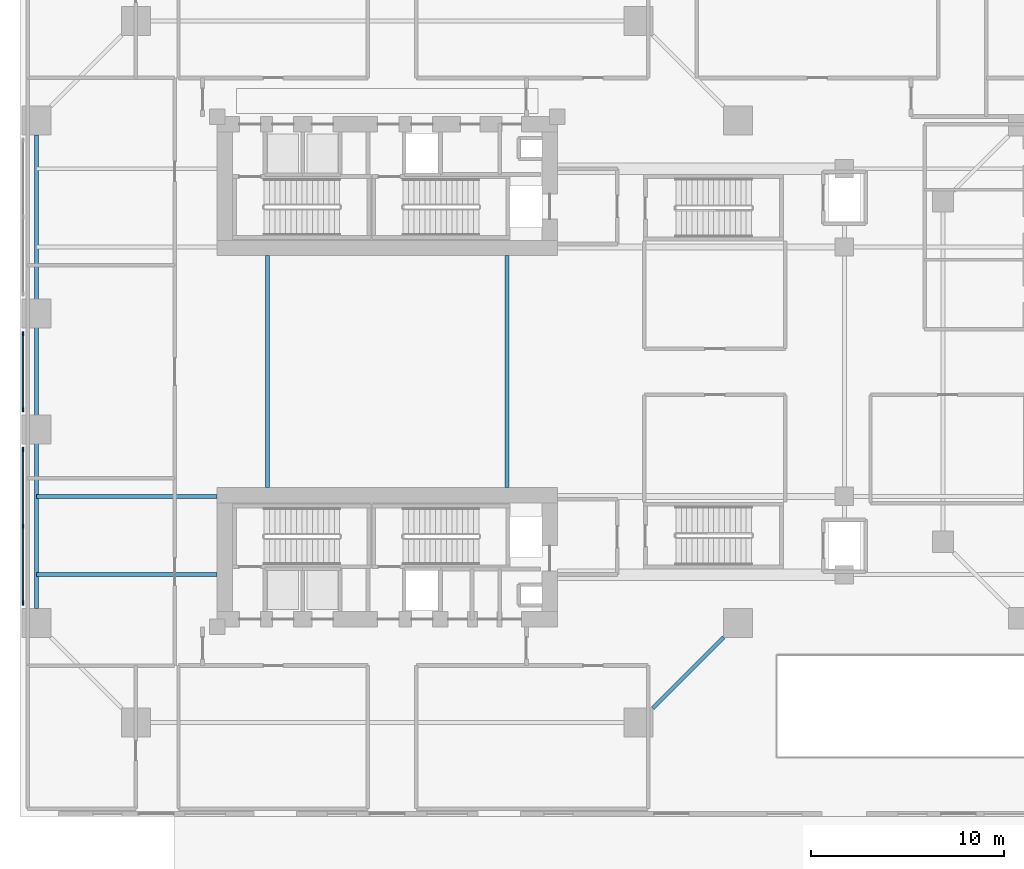
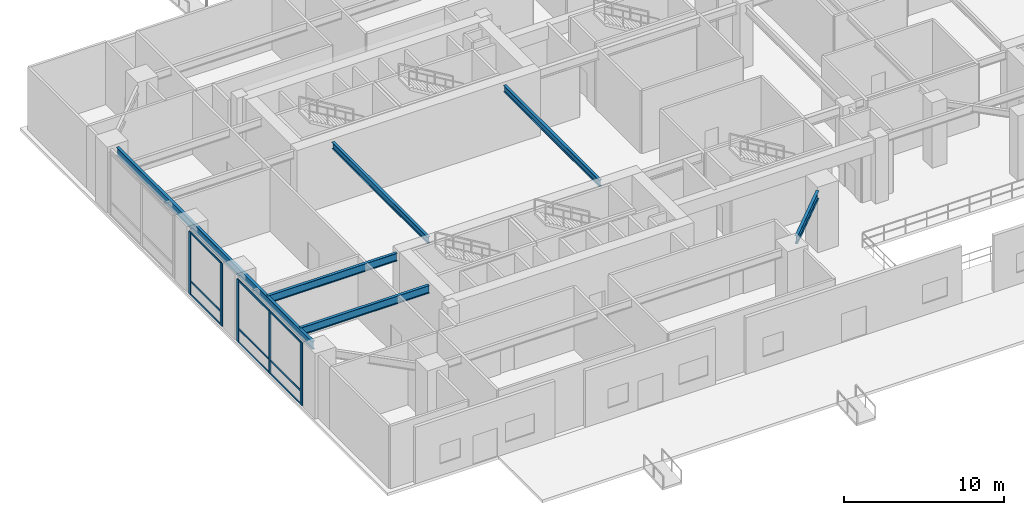
# One storey, part 2 of 18: 14 members, 6 beams, 2 elements without a shape of their own.
"""IFC4 building model written with IfcOpenShell, lengths in metres."""

from ifc_helpers import new_model, si_unit, direction, frame, origin, origin_2d, place, context, subcontext, project, spatial, rectangle, i_section, extrude, source, transform, mapped, material, layer, layer_set, material_profile, profile_set, type_object, element, aggregate, save


model = new_model("IFC4")

# Units and contexts
model_context = context("Model", 3, precision=1e-05, world=origin(), true_north=direction((0.0, 1.0)))
body_context = subcontext(model_context, "Body", "Model", "MODEL_VIEW")
ifc_project = project(units=[si_unit("LENGTHUNIT", "METRE"), si_unit("AREAUNIT", "SQUARE_METRE"), si_unit("VOLUMEUNIT", "CUBIC_METRE"), si_unit("PLANEANGLEUNIT", "RADIAN"), si_unit("MASSUNIT", "GRAM", prefix="KILO"), si_unit("THERMODYNAMICTEMPERATUREUNIT", "KELVIN"), si_unit("POWERUNIT", "WATT")], contexts=[model_context])

# Site, building, storey
site_placement = place(None, origin())
site = spatial("IfcSite", under=ifc_project, at=site_placement, CompositionType="ELEMENT")
building_placement = place(site_placement, origin())
building = spatial("IfcBuilding", under=site, at=building_placement, Name="Qiaomeng Ring Towers", CompositionType="ELEMENT")
storey_placement = place(building_placement, origin())
storey = spatial("IfcBuildingStorey", under=building, at=storey_placement, Name="L00", CompositionType="ELEMENT", Elevation=0.0)

# Beams
ifc_material_1 = material(Name="Steel Q355B", Category="steel")
ifc_material_profile_1 = material_profile(ifc_material_1, i_section(OverallWidth=0.199951171875, OverallDepth=0.60009765625, WebThickness=0.010986328125, FlangeThickness=0.01708984375, FilletRadius=0.02197265625, at=origin_2d()), Name="HN 600x200x11x17")
ifc_profile_set_1 = profile_set([ifc_material_profile_1], Name="Steel Q355B")
beam_type_1 = type_object("IfcBeamType", Name="STR-BM-HN600", PredefinedType="BEAM", material=ifc_profile_set_1)
shared_shape_1 = source(origin(), body_context, "Body", "SweptSolid", [
    extrude(i_section(OverallWidth=0.199951171875, OverallDepth=0.60009765625, WebThickness=0.010986328125, FlangeThickness=0.01708984375, FilletRadius=0.02197265625, at=origin_2d()), origin(), (0.0, 0.0, 1.0), 24.501953125),
])
beam_1_placement = place(storey_placement, frame((0.85009765625, 10.7490234375, 4.47998046875), z_axis=(0.0, 1.0, 0.0), x_axis=(-1.0, 0.0, 0.0)))
element("IfcBeam", 1, at=beam_1_placement, inside=storey, type_object=beam_type_1, Name="L00 beam STR-SP-L00-WL", PredefinedType="BEAM", context=body_context, shape_type="MappedRepresentation", body=[
    mapped(shared_shape_1, transform((0.0, 0.0, 0.0), x_axis=(1.0, 0.0, 0.0), y_axis=(0.0, 1.0, 0.0), z_axis=(0.0, 0.0, 1.0), scale=1.0)),
])
shared_shape_2 = source(origin(), body_context, "Body", "SweptSolid", [
    extrude(i_section(OverallWidth=0.199951171875, OverallDepth=0.60009765625, WebThickness=0.010986328125, FlangeThickness=0.01708984375, FilletRadius=0.02197265625, at=origin_2d()), origin(), (0.0, 0.0, 1.0), 5.163818359375),
])
beam_2_placement = place(storey_placement, frame((32.749267578125, 5.599365234375, 4.47998046875), z_axis=(0.707106781187, 0.707106781187, 0.0), x_axis=(-0.707106781187, 0.707106781187, 0.0)))
element("IfcBeam", 2, at=beam_2_placement, inside=storey, type_object=beam_type_1, Name="L00 beam STR-SP-L00-T1-2", PredefinedType="BEAM", context=body_context, shape_type="MappedRepresentation", body=[
    mapped(shared_shape_2, transform((0.0, 0.0, 0.0), x_axis=(1.0, 0.0, 0.0), y_axis=(0.0, 1.0, 0.0), z_axis=(0.0, 0.0, 1.0), scale=1.0)),
])
shared_shape_3 = source(origin(), body_context, "Body", "SweptSolid", [
    extrude(i_section(OverallWidth=0.199951171875, OverallDepth=0.60009765625, WebThickness=0.010986328125, FlangeThickness=0.01708984375, FilletRadius=0.02197265625, at=origin_2d()), origin(), (0.0, 0.0, 1.0), 9.349853515625),
])
for number, where, z_axis, x_axis, name in (
    (3, (0.85009765625, 12.5, 4.47998046875), (1.0, 0.0, 0.0), (0.0, 1.0, 0.0), "L00 beam STR-BM-L00-W-0"),
    (4, (0.85009765625, 16.550048828125, 4.47998046875), (1.0, 0.0, 0.0), (0.0, 1.0, 0.0), "L00 beam STR-BM-L00-W-1"),
):
    element("IfcBeam", number, at=place(storey_placement, frame(where, z_axis=z_axis, x_axis=x_axis)), inside=storey, type_object=beam_type_1, Name=name, PredefinedType="BEAM", context=body_context, shape_type="MappedRepresentation", body=[
        mapped(shared_shape_3, transform((0.0, 0.0, 0.0), x_axis=(1.0, 0.0, 0.0), y_axis=(0.0, 1.0, 0.0), z_axis=(0.0, 0.0, 1.0), scale=1.0)),
    ])
ifc_material_profile_2 = material_profile(ifc_material_1, i_section(OverallWidth=0.199951171875, OverallDepth=0.5, WebThickness=0.010009765625, FlangeThickness=0.01611328125, FilletRadius=0.02001953125, at=origin_2d()), Name="HN 500x200x10x16")
ifc_profile_set_2 = profile_set([ifc_material_profile_2], Name="Steel Q355B")
beam_type_2 = type_object("IfcBeamType", Name="STR-BM-HN500", PredefinedType="BEAM", material=ifc_profile_set_2)
shared_shape_4 = source(origin(), body_context, "Body", "SweptSolid", [
    extrude(i_section(OverallWidth=0.199951171875, OverallDepth=0.5, WebThickness=0.010009765625, FlangeThickness=0.01611328125, FilletRadius=0.02001953125, at=origin_2d()), origin(), (0.0, 0.0, 1.0), 12.0),
])
for number, where, z_axis, x_axis, name in (
    (5, (12.800048828125, 17.0, 4.530029296875), (0.0, 1.0, 0.0), (-1.0, 0.0, 0.0), "L00 beam STR-BM-L00-AT1-W"),
    (6, (25.199951171875, 17.0, 4.530029296875), (0.0, 1.0, 0.0), (-1.0, 0.0, 0.0), "L00 beam STR-BM-L00-AT1-E"),
):
    element("IfcBeam", number, at=place(storey_placement, frame(where, z_axis=z_axis, x_axis=x_axis)), inside=storey, type_object=beam_type_2, Name=name, PredefinedType="BEAM", context=body_context, shape_type="MappedRepresentation", body=[
        mapped(shared_shape_4, transform((0.0, 0.0, 0.0), x_axis=(1.0, 0.0, 0.0), y_axis=(0.0, 1.0, 0.0), z_axis=(0.0, 0.0, 1.0), scale=1.0)),
    ])

# Curtain wall, members
ifc_material_2 = material(Name="Fluorocarbon dark-grey aluminium", Category="aluminium")
ifc_layer = layer(ifc_material_2, 0.179931640625, Name="Fluorocarbon dark-grey aluminium")
ifc_layer_set = layer_set([ifc_layer], Name="Fluorocarbon dark-grey aluminium")
curtain_wall_type = type_object("IfcCurtainWallType", Name="ARC-CW-1", PredefinedType="NOTDEFINED", material=ifc_layer_set)
curtain_wall_1_placement = place(storey_placement, origin())
curtain_wall_1 = element("IfcCurtainWall", 7, at=curtain_wall_1_placement, inside=storey, type_object=curtain_wall_type, Name="L00 Curtain Wall CW1", PredefinedType="NOTDEFINED")
ifc_material_profile_3 = material_profile(ifc_material_2, rectangle(XDim=0.080078125, YDim=0.219970703125, at=origin_2d()), Name="ALU MULL 80x220")
ifc_profile_set_3 = profile_set([ifc_material_profile_3], Name="Fluorocarbon dark-grey aluminium")
member_type_1 = type_object("IfcMemberType", Name="ARC-CWM-180", PredefinedType="MULLION", material=ifc_profile_set_3)
shared_shape_5 = source(origin(), body_context, "Body", "SweptSolid", [
    extrude(rectangle(XDim=0.080078125, YDim=0.219970703125, at=origin_2d()), origin(), (0.0, 0.0, 1.0), 4.780029296875),
])
member_1_placement = place(storey_placement, frame((0.14990234375, 11.030029296875, 0.0), z_axis=(0.0, 0.0, 1.0), x_axis=(-1.0, 0.0, 0.0)))
member_1 = element("IfcMember", 8, at=member_1_placement, type_object=member_type_1, Name="CW1 mullion 1", PredefinedType="MULLION", context=body_context, shape_type="MappedRepresentation", body=[
    mapped(shared_shape_5, transform((0.0, 0.0, 0.0), x_axis=(1.0, 0.0, 0.0), y_axis=(0.0, 1.0, 0.0), z_axis=(0.0, 0.0, 1.0), scale=1.0)),
])
member_2_placement = place(storey_placement, frame((0.14990234375, 15.0, 0.0), z_axis=(0.0, 0.0, 1.0), x_axis=(-1.0, 0.0, 0.0)))
member_2 = element("IfcMember", 9, at=member_2_placement, type_object=member_type_1, Name="CW1 mullion 2", PredefinedType="MULLION", context=body_context, shape_type="MappedRepresentation", body=[
    mapped(shared_shape_5, transform((0.0, 0.0, 0.0), x_axis=(1.0, 0.0, 0.0), y_axis=(0.0, 1.0, 0.0), z_axis=(0.0, 0.0, 1.0), scale=1.0)),
])
member_3_placement = place(storey_placement, frame((0.14990234375, 18.969970703125, 0.0), z_axis=(0.0, 0.0, 1.0), x_axis=(-1.0, 0.0, 0.0)))
member_3 = element("IfcMember", 10, at=member_3_placement, type_object=member_type_1, Name="CW1 mullion 3", PredefinedType="MULLION", context=body_context, shape_type="MappedRepresentation", body=[
    mapped(shared_shape_5, transform((0.0, 0.0, 0.0), x_axis=(1.0, 0.0, 0.0), y_axis=(0.0, 1.0, 0.0), z_axis=(0.0, 0.0, 1.0), scale=1.0)),
])

curtain_wall_2_placement = place(storey_placement, origin())
curtain_wall_2 = element("IfcCurtainWall", 11, at=curtain_wall_2_placement, inside=storey, type_object=curtain_wall_type, Name="L00 Curtain Wall CW1", PredefinedType="NOTDEFINED")
member_4_placement = place(storey_placement, frame((0.14990234375, 21.030029296875, 0.0), z_axis=(0.0, 0.0, 1.0), x_axis=(-1.0, 0.0, 0.0)))
member_4 = element("IfcMember", 12, at=member_4_placement, type_object=member_type_1, Name="CW1 mullion 1", PredefinedType="MULLION", context=body_context, shape_type="MappedRepresentation", body=[
    mapped(shared_shape_5, transform((0.0, 0.0, 0.0), x_axis=(1.0, 0.0, 0.0), y_axis=(0.0, 1.0, 0.0), z_axis=(0.0, 0.0, 1.0), scale=1.0)),
])
member_5_placement = place(storey_placement, frame((0.14990234375, 24.969970703125, 0.0), z_axis=(0.0, 0.0, 1.0), x_axis=(-1.0, 0.0, 0.0)))
member_5 = element("IfcMember", 13, at=member_5_placement, type_object=member_type_1, Name="CW1 mullion 2", PredefinedType="MULLION", context=body_context, shape_type="MappedRepresentation", body=[
    mapped(shared_shape_5, transform((0.0, 0.0, 0.0), x_axis=(1.0, 0.0, 0.0), y_axis=(0.0, 1.0, 0.0), z_axis=(0.0, 0.0, 1.0), scale=1.0)),
])

# Member
ifc_material_profile_4 = material_profile(ifc_material_2, rectangle(XDim=0.070068359375, YDim=0.139892578125, at=origin_2d()), Name="ALU TRAN 70x140")
ifc_profile_set_4 = profile_set([ifc_material_profile_4], Name="Fluorocarbon dark-grey aluminium")
member_type_2 = type_object("IfcMemberType", Name="ARC-CWT-140", PredefinedType="USERDEFINED", material=ifc_profile_set_4)
shared_shape_6 = source(origin(), body_context, "Body", "SweptSolid", [
    extrude(rectangle(XDim=0.070068359375, YDim=0.139892578125, at=origin_2d()), origin(), (0.0, 0.0, 1.0), 3.889892578125),
])
member_6_placement = place(storey_placement, frame((0.14990234375, 11.070068359375, 0.034912109375), z_axis=(0.0, 1.0, 0.0), x_axis=(-1.0, 0.0, 0.0)))
member_6 = element("IfcMember", 14, at=member_6_placement, type_object=member_type_2, Name="CW1 transom 1.1", ObjectType="TRANSOM", PredefinedType="USERDEFINED", context=body_context, shape_type="MappedRepresentation", body=[
    mapped(shared_shape_6, transform((0.0, 0.0, 0.0), x_axis=(1.0, 0.0, 0.0), y_axis=(0.0, 1.0, 0.0), z_axis=(0.0, 0.0, 1.0), scale=1.0)),
])

member_7_placement = place(storey_placement, frame((0.14990234375, 11.070068359375, 1.050048828125), z_axis=(0.0, 1.0, 0.0), x_axis=(-1.0, 0.0, 0.0)))
member_7 = element("IfcMember", 15, at=member_7_placement, type_object=member_type_2, Name="CW1 transom 1.2", ObjectType="TRANSOM", PredefinedType="USERDEFINED", context=body_context, shape_type="MappedRepresentation", body=[
    mapped(shared_shape_6, transform((0.0, 0.0, 0.0), x_axis=(1.0, 0.0, 0.0), y_axis=(0.0, 1.0, 0.0), z_axis=(0.0, 0.0, 1.0), scale=1.0)),
])

member_8_placement = place(storey_placement, frame((0.14990234375, 11.070068359375, 4.7451171875), z_axis=(0.0, 1.0, 0.0), x_axis=(-1.0, 0.0, 0.0)))
member_8 = element("IfcMember", 16, at=member_8_placement, type_object=member_type_2, Name="CW1 transom 1.3", ObjectType="TRANSOM", PredefinedType="USERDEFINED", context=body_context, shape_type="MappedRepresentation", body=[
    mapped(shared_shape_6, transform((0.0, 0.0, 0.0), x_axis=(1.0, 0.0, 0.0), y_axis=(0.0, 1.0, 0.0), z_axis=(0.0, 0.0, 1.0), scale=1.0)),
])

member_9_placement = place(storey_placement, frame((0.14990234375, 15.0400390625, 0.034912109375), z_axis=(0.0, 1.0, 0.0), x_axis=(-1.0, 0.0, 0.0)))
member_9 = element("IfcMember", 17, at=member_9_placement, type_object=member_type_2, Name="CW1 transom 2.1", ObjectType="TRANSOM", PredefinedType="USERDEFINED", context=body_context, shape_type="MappedRepresentation", body=[
    mapped(shared_shape_6, transform((0.0, 0.0, 0.0), x_axis=(1.0, 0.0, 0.0), y_axis=(0.0, 1.0, 0.0), z_axis=(0.0, 0.0, 1.0), scale=1.0)),
])

member_10_placement = place(storey_placement, frame((0.14990234375, 15.0400390625, 1.050048828125), z_axis=(0.0, 1.0, 0.0), x_axis=(-1.0, 0.0, 0.0)))
member_10 = element("IfcMember", 18, at=member_10_placement, type_object=member_type_2, Name="CW1 transom 2.2", ObjectType="TRANSOM", PredefinedType="USERDEFINED", context=body_context, shape_type="MappedRepresentation", body=[
    mapped(shared_shape_6, transform((0.0, 0.0, 0.0), x_axis=(1.0, 0.0, 0.0), y_axis=(0.0, 1.0, 0.0), z_axis=(0.0, 0.0, 1.0), scale=1.0)),
])

member_11_placement = place(storey_placement, frame((0.14990234375, 15.0400390625, 4.7451171875), z_axis=(0.0, 1.0, 0.0), x_axis=(-1.0, 0.0, 0.0)))
member_11 = element("IfcMember", 19, at=member_11_placement, type_object=member_type_2, Name="CW1 transom 2.3", ObjectType="TRANSOM", PredefinedType="USERDEFINED", context=body_context, shape_type="MappedRepresentation", body=[
    mapped(shared_shape_6, transform((0.0, 0.0, 0.0), x_axis=(1.0, 0.0, 0.0), y_axis=(0.0, 1.0, 0.0), z_axis=(0.0, 0.0, 1.0), scale=1.0)),
])

aggregate(curtain_wall_1, [member_1, member_2, member_3, member_6, member_7, member_8, member_9, member_10, member_11])

shared_shape_7 = source(origin(), body_context, "Body", "SweptSolid", [
    extrude(rectangle(XDim=0.070068359375, YDim=0.139892578125, at=origin_2d()), origin(), (0.0, 0.0, 1.0), 3.85986328125),
])
member_12_placement = place(storey_placement, frame((0.14990234375, 21.070068359375, 0.034912109375), z_axis=(0.0, 1.0, 0.0), x_axis=(-1.0, 0.0, 0.0)))
member_12 = element("IfcMember", 20, at=member_12_placement, type_object=member_type_2, Name="CW1 transom 1.1", ObjectType="TRANSOM", PredefinedType="USERDEFINED", context=body_context, shape_type="MappedRepresentation", body=[
    mapped(shared_shape_7, transform((0.0, 0.0, 0.0), x_axis=(1.0, 0.0, 0.0), y_axis=(0.0, 1.0, 0.0), z_axis=(0.0, 0.0, 1.0), scale=1.0)),
])

member_13_placement = place(storey_placement, frame((0.14990234375, 21.070068359375, 1.050048828125), z_axis=(0.0, 1.0, 0.0), x_axis=(-1.0, 0.0, 0.0)))
member_13 = element("IfcMember", 21, at=member_13_placement, type_object=member_type_2, Name="CW1 transom 1.2", ObjectType="TRANSOM", PredefinedType="USERDEFINED", context=body_context, shape_type="MappedRepresentation", body=[
    mapped(shared_shape_7, transform((0.0, 0.0, 0.0), x_axis=(1.0, 0.0, 0.0), y_axis=(0.0, 1.0, 0.0), z_axis=(0.0, 0.0, 1.0), scale=1.0)),
])

member_14_placement = place(storey_placement, frame((0.14990234375, 21.070068359375, 4.7451171875), z_axis=(0.0, 1.0, 0.0), x_axis=(-1.0, 0.0, 0.0)))
member_14 = element("IfcMember", 22, at=member_14_placement, type_object=member_type_2, Name="CW1 transom 1.3", ObjectType="TRANSOM", PredefinedType="USERDEFINED", context=body_context, shape_type="MappedRepresentation", body=[
    mapped(shared_shape_7, transform((0.0, 0.0, 0.0), x_axis=(1.0, 0.0, 0.0), y_axis=(0.0, 1.0, 0.0), z_axis=(0.0, 0.0, 1.0), scale=1.0)),
])

aggregate(curtain_wall_2, [member_4, member_5, member_12, member_13, member_14])

save(model, "model.ifc")
